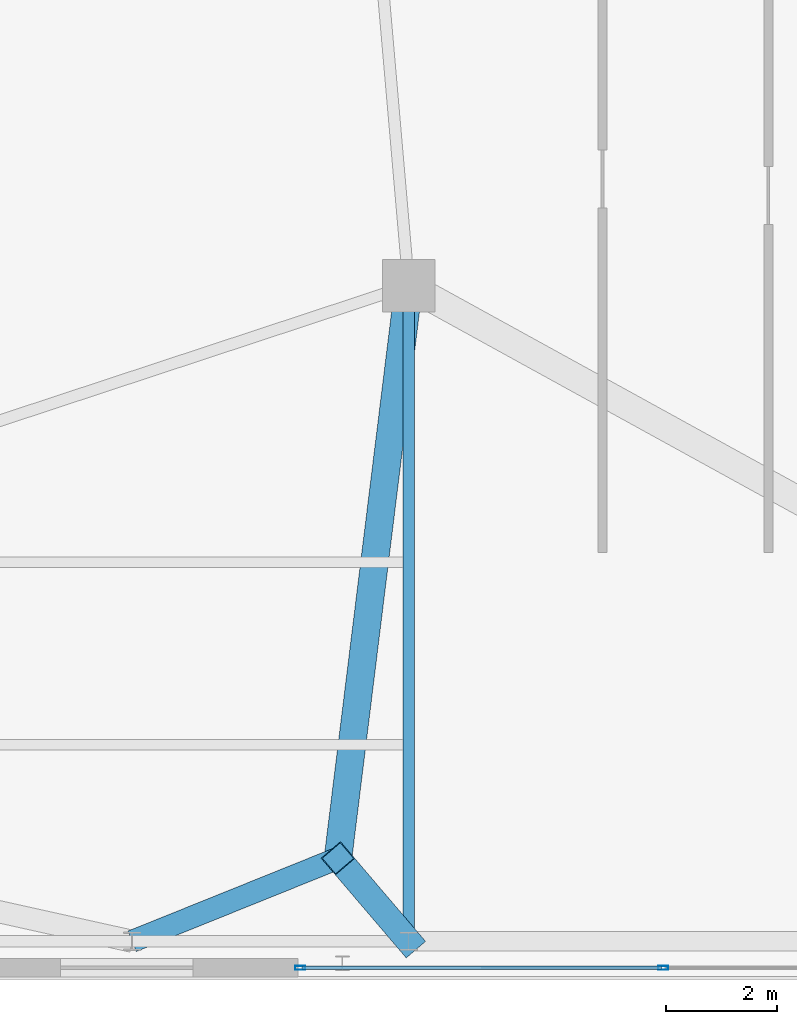
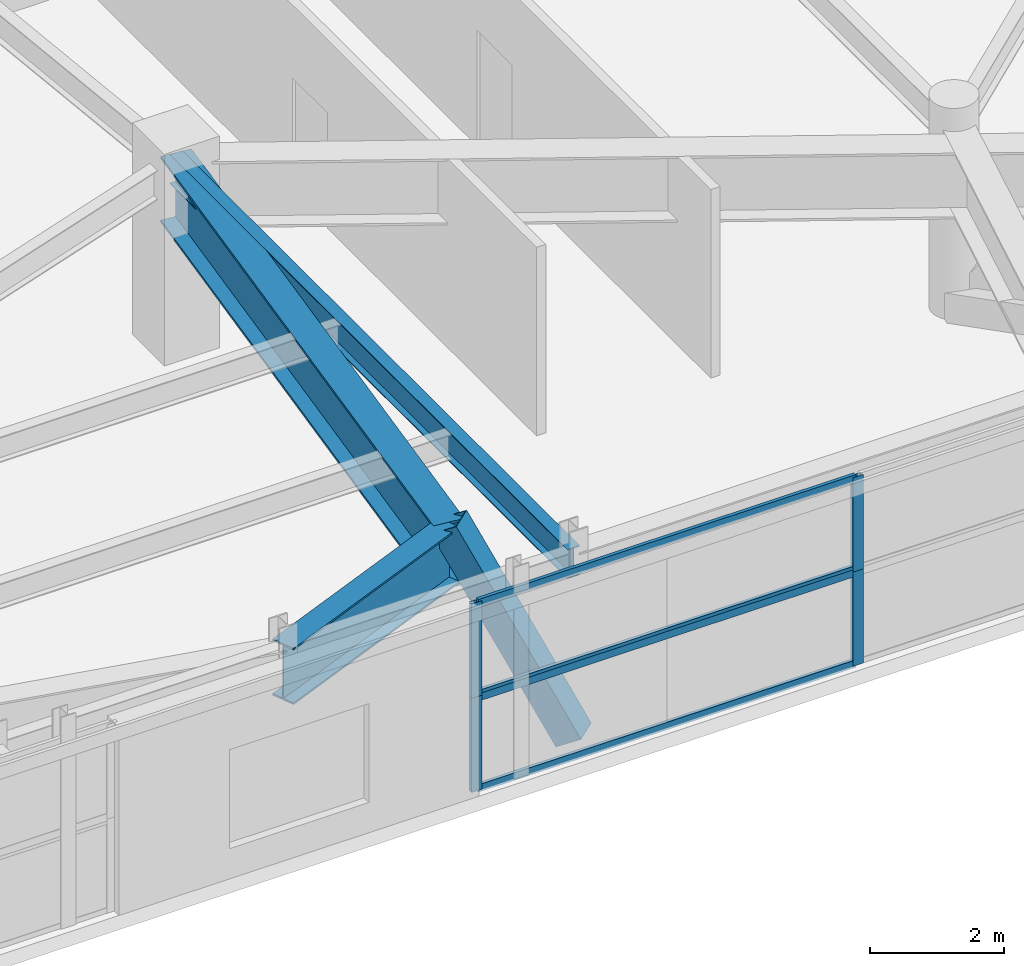
# One storey, part 15 of 27: 9 members, 3 beams, 2 elements without a shape of their own.
"""IFC4 building model written with IfcOpenShell, lengths in metres."""

from ifc_helpers import new_model, si_unit, direction, frame, origin, origin_2d, place, context, subcontext, project, spatial, hollow_rectangle, i_section, extrude, source, transform, mapped, material, layer, layer_set, material_profile, profile_set, type_object, element, aggregate, save


model = new_model("IFC4")

# Units and contexts
model_context = context("Model", 3, precision=1e-05, world=origin(), true_north=direction((0.0, 1.0)))
body_context = subcontext(model_context, "Body", "Model", "MODEL_VIEW")
ifc_project = project(units=[si_unit("LENGTHUNIT", "METRE"), si_unit("AREAUNIT", "SQUARE_METRE"), si_unit("VOLUMEUNIT", "CUBIC_METRE"), si_unit("PLANEANGLEUNIT", "RADIAN"), si_unit("MASSUNIT", "GRAM", prefix="KILO")], contexts=[model_context])

# Site, building, storey
site_placement = place(None, origin())
site = spatial("IfcSite", under=ifc_project, at=site_placement, CompositionType="ELEMENT")
building_placement = place(site_placement, origin())
building = spatial("IfcBuilding", under=site, at=building_placement, Name="Taldren Reach Tower", CompositionType="ELEMENT")
storey_placement = place(building_placement, frame((0.0, 0.0, 12.949951171875)))
storey = spatial("IfcBuildingStorey", under=building, at=storey_placement, Name="L03", CompositionType="ELEMENT", Elevation=12.949951171875)

# Beam
ifc_material_1 = material(Name="Steel Gr 350 (350PLUS)", Category="steel")
ifc_material_profile_1 = material_profile(ifc_material_1, i_section(OverallWidth=0.208984375, OverallDepth=0.532958984375, WebThickness=0.01025390625, FlangeThickness=0.015625, at=origin_2d()), Name="530UB92.4")
ifc_profile_set_1 = profile_set([ifc_material_profile_1], Name="Steel Gr 350 (350PLUS)")
beam_type_1 = type_object("IfcBeamType", Name="BM-UB530A", PredefinedType="BEAM", material=ifc_profile_set_1)
shared_shape_1 = source(origin(), body_context, "Body", "SweptSolid", [
    extrude(i_section(OverallWidth=0.208984375, OverallDepth=0.532958984375, WebThickness=0.01025390625, FlangeThickness=0.015625, at=origin_2d()), origin(), (0.0, 0.0, 1.0), 11.85009765625),
])
beam_1_placement = place(storey_placement, frame((52.0, 0.64990234375, 3.16357421875), z_axis=(0.0, 1.0, 0.0), x_axis=(-1.0, 0.0, 0.0)))
element("IfcBeam", 1, at=beam_1_placement, inside=storey, type_object=beam_type_1, Name="Podium beam L03-PD25", PredefinedType="BEAM", context=body_context, shape_type="MappedRepresentation", body=[
    mapped(shared_shape_1, transform((0.0, 0.0, 0.0), scale=1.0)),
])

# Member
ifc_material_2 = material(Name="Steel Gr 450 (C450L0)", Category="steel")
ifc_material_profile_2 = material_profile(ifc_material_2, hollow_rectangle(XDim=0.4599609375, YDim=0.4599609375, WallThickness=0.01611328125, at=origin_2d()), Name="460x460x16.0SHS")
ifc_profile_set_2 = profile_set([ifc_material_profile_2], Name="Steel Gr 450 (C450L0)")
member_type_1 = type_object("IfcMemberType", Name="MB-EXO457", PredefinedType="BRACE", material=ifc_profile_set_2)
shared_shape_2 = source(origin(), body_context, "Body", "SweptSolid", [
    extrude(hollow_rectangle(XDim=0.4599609375, YDim=0.4599609375, WallThickness=0.01611328125, at=origin_2d()), origin(), (0.0, 0.0, 1.0), 3.93896484375),
])
member_1_placement = place(storey_placement, frame((52.0, 0.64990234375, 0.02001953125), z_axis=(-0.324960344028, 0.380804187241, 0.865672539583), x_axis=(-0.760679309255, -0.649127867582, 0.0)))
element("IfcMember", 2, at=member_1_placement, inside=storey, type_object=member_type_1, Name="Portal and block transfer strut TS-B1-S5 L03", PredefinedType="BRACE", context=body_context, shape_type="MappedRepresentation", body=[
    mapped(shared_shape_2, transform((0.0, 0.0, 0.0), scale=1.0)),
])

# Beams
ifc_material_profile_3 = material_profile(ifc_material_1, i_section(OverallWidth=0.5, OverallDepth=1.199951171875, WebThickness=0.01611328125, FlangeThickness=0.0400390625, at=origin_2d()), Name="1200WB455")
ifc_profile_set_3 = profile_set([ifc_material_profile_3], Name="Steel Gr 350 (350PLUS)")
beam_type_2 = type_object("IfcBeamType", Name="BM-WB1200", PredefinedType="BEAM", material=ifc_profile_set_3)
shared_shape_3 = source(origin(), body_context, "Body", "SweptSolid", [
    extrude(i_section(OverallWidth=0.5, OverallDepth=1.199951171875, WebThickness=0.01611328125, FlangeThickness=0.0400390625, at=origin_2d()), origin(), (0.0, 0.0, 1.0), 10.428955078125),
])
beam_2_placement = place(storey_placement, frame((52.0, 12.5, 2.830078125), z_axis=(-0.122738080664, -0.992439098159, 0.0), x_axis=(0.992439098159, -0.122738080664, 0.0)))
element("IfcBeam", 3, at=beam_2_placement, inside=storey, type_object=beam_type_2, Name="Block transfer girder TG-B1-S5A on L03", PredefinedType="BEAM", context=body_context, shape_type="MappedRepresentation", body=[
    mapped(shared_shape_3, transform((0.0, 0.0, 0.0), scale=1.0)),
])
ifc_material_profile_4 = material_profile(ifc_material_1, i_section(OverallWidth=0.39990234375, OverallDepth=1.02392578125, WebThickness=0.01611328125, FlangeThickness=0.031982421875, at=origin_2d()), Name="1000WB322")
ifc_profile_set_4 = profile_set([ifc_material_profile_4], Name="Steel Gr 350 (350PLUS)")
beam_type_3 = type_object("IfcBeamType", Name="BM-WB1000", PredefinedType="BEAM", material=ifc_profile_set_4)
shared_shape_4 = source(origin(), body_context, "Body", "SweptSolid", [
    extrude(i_section(OverallWidth=0.39990234375, OverallDepth=1.02392578125, WebThickness=0.01611328125, FlangeThickness=0.031982421875, at=origin_2d()), origin(), (0.0, 0.0, 1.0), 4.010986328125),
])
beam_3_placement = place(storey_placement, frame((47.0, 0.64990234375, 2.91796875), z_axis=(0.927440450531, 0.37397086881, 0.0), x_axis=(-0.37397086881, 0.927440450531, 0.0)))
element("IfcBeam", 4, at=beam_3_placement, inside=storey, type_object=beam_type_3, Name="Block transfer tie girder TG-B1-S5B on L03", PredefinedType="BEAM", context=body_context, shape_type="MappedRepresentation", body=[
    mapped(shared_shape_4, transform((0.0, 0.0, 0.0), scale=1.0)),
])

# Curtain wall, members
ifc_material_3 = material(Name="Aluminium and Low-E Glass Unitised System", Category="aluminium")
ifc_layer = layer(ifc_material_3, 0.159912109375)
ifc_layer_set = layer_set([ifc_layer], Name="Aluminium and Low-E Glass Unitised System")
curtain_wall_type = type_object("IfcCurtainWallType", Name="CW-SYS-1", PredefinedType="NOTDEFINED", material=ifc_layer_set)
curtain_wall_1_placement = place(storey_placement, origin())
curtain_wall_1 = element("IfcCurtainWall", 5, at=curtain_wall_1_placement, inside=storey, type_object=curtain_wall_type, Name="Unitised curtain wall CW1-L03-S3", PredefinedType="NOTDEFINED")
ifc_material_4 = material(Name="Anodised Aluminium 6063-T6", Category="aluminium")
ifc_material_profile_5 = material_profile(ifc_material_4, hollow_rectangle(XDim=0.06005859375, YDim=0.135009765625, WallThickness=0.00341796875, at=origin_2d()), Name="ALU-135x60x3.5RHS")
ifc_profile_set_5 = profile_set([ifc_material_profile_5], Name="Anodised Aluminium 6063-T6")
member_type_2 = type_object("IfcMemberType", Name="CW-TRN-150", PredefinedType="USERDEFINED", material=ifc_profile_set_5)
shared_shape_5 = source(origin(), body_context, "Body", "SweptSolid", [
    extrude(hollow_rectangle(XDim=0.06005859375, YDim=0.135009765625, WallThickness=0.00341796875, at=origin_2d()), origin(), (0.0, 0.0, 1.0), 6.494873046875),
])
member_2_placement = place(storey_placement, frame((50.070068359375, 0.169921875, 0.030029296875), z_axis=(1.0, 0.0, 0.0), x_axis=(0.0, 1.0, 0.0)))
member_2 = element("IfcMember", 6, at=member_2_placement, type_object=member_type_2, Name="CW-1 transom 1.1", ObjectType="TRANSOM", PredefinedType="USERDEFINED", context=body_context, shape_type="MappedRepresentation", body=[
    mapped(shared_shape_5, transform((0.0, 0.0, 0.0), scale=1.0)),
])
member_3_placement = place(storey_placement, frame((50.070068359375, 0.169921875, 1.68505859375), z_axis=(1.0, 0.0, 0.0), x_axis=(0.0, 1.0, 0.0)))
member_3 = element("IfcMember", 7, at=member_3_placement, type_object=member_type_2, Name="CW-1 transom 1.2", ObjectType="TRANSOM", PredefinedType="USERDEFINED", context=body_context, shape_type="MappedRepresentation", body=[
    mapped(shared_shape_5, transform((0.0, 0.0, 0.0), scale=1.0)),
])

curtain_wall_2_placement = place(storey_placement, origin())
curtain_wall_2 = element("IfcCurtainWall", 8, at=curtain_wall_2_placement, inside=storey, type_object=curtain_wall_type, Name="Unitised curtain wall CW1-L03-S3-T2", PredefinedType="NOTDEFINED")
member_4_placement = place(storey_placement, frame((50.070068359375, 0.169921875, 1.7451171875), z_axis=(1.0, 0.0, 0.0), x_axis=(0.0, 1.0, 0.0)))
member_4 = element("IfcMember", 9, at=member_4_placement, type_object=member_type_2, Name="CW-1 transom 1.1", ObjectType="TRANSOM", PredefinedType="USERDEFINED", context=body_context, shape_type="MappedRepresentation", body=[
    mapped(shared_shape_5, transform((0.0, 0.0, 0.0), scale=1.0)),
])
member_5_placement = place(storey_placement, frame((50.070068359375, 0.169921875, 3.400146484375), z_axis=(1.0, 0.0, 0.0), x_axis=(0.0, 1.0, 0.0)))
member_5 = element("IfcMember", 10, at=member_5_placement, type_object=member_type_2, Name="CW-1 transom 1.2", ObjectType="TRANSOM", PredefinedType="USERDEFINED", context=body_context, shape_type="MappedRepresentation", body=[
    mapped(shared_shape_5, transform((0.0, 0.0, 0.0), scale=1.0)),
])

# Member
ifc_material_profile_6 = material_profile(ifc_material_4, hollow_rectangle(XDim=0.070068359375, YDim=0.179931640625, WallThickness=0.00390625, at=origin_2d()), Name="ALU-180x70x4RHS")
ifc_profile_set_6 = profile_set([ifc_material_profile_6], Name="Anodised Aluminium 6063-T6")
member_type_3 = type_object("IfcMemberType", Name="CW-MUL-180", PredefinedType="MULLION", material=ifc_profile_set_6)
shared_shape_6 = source(origin(), body_context, "Body", "SweptSolid", [
    extrude(hollow_rectangle(XDim=0.070068359375, YDim=0.179931640625, WallThickness=0.00390625, at=origin_2d()), origin(), (0.0, 0.0, 1.0), 1.715087890625),
])
member_6_placement = place(storey_placement, frame((50.034912109375, 0.169921875, 0.0), z_axis=(0.0, 0.0, 1.0), x_axis=(0.0, 1.0, 0.0)))
member_6 = element("IfcMember", 11, at=member_6_placement, type_object=member_type_3, Name="CW-1 mullion 1", PredefinedType="MULLION", context=body_context, shape_type="MappedRepresentation", body=[
    mapped(shared_shape_6, transform((0.0, 0.0, 0.0), scale=1.0)),
])

member_7_placement = place(storey_placement, frame((56.60009765625, 0.169921875, 0.0), z_axis=(0.0, 0.0, 1.0), x_axis=(0.0, 1.0, 0.0)))
member_7 = element("IfcMember", 12, at=member_7_placement, type_object=member_type_3, Name="CW-1 mullion 2", PredefinedType="MULLION", context=body_context, shape_type="MappedRepresentation", body=[
    mapped(shared_shape_6, transform((0.0, 0.0, 0.0), scale=1.0)),
])

aggregate(curtain_wall_1, [member_6, member_7, member_2, member_3])

shared_shape_7 = source(origin(), body_context, "Body", "SweptSolid", [
    extrude(hollow_rectangle(XDim=0.070068359375, YDim=0.179931640625, WallThickness=0.00390625, at=origin_2d()), origin(), (0.0, 0.0, 1.0), 1.71484375),
])
member_8_placement = place(storey_placement, frame((50.034912109375, 0.169921875, 1.715087890625), z_axis=(0.0, 0.0, 1.0), x_axis=(0.0, 1.0, 0.0)))
member_8 = element("IfcMember", 13, at=member_8_placement, type_object=member_type_3, Name="CW-1 mullion 1", PredefinedType="MULLION", context=body_context, shape_type="MappedRepresentation", body=[
    mapped(shared_shape_7, transform((0.0, 0.0, 0.0), scale=1.0)),
])

member_9_placement = place(storey_placement, frame((56.60009765625, 0.169921875, 1.715087890625), z_axis=(0.0, 0.0, 1.0), x_axis=(0.0, 1.0, 0.0)))
member_9 = element("IfcMember", 14, at=member_9_placement, type_object=member_type_3, Name="CW-1 mullion 2", PredefinedType="MULLION", context=body_context, shape_type="MappedRepresentation", body=[
    mapped(shared_shape_7, transform((0.0, 0.0, 0.0), scale=1.0)),
])

aggregate(curtain_wall_2, [member_8, member_9, member_4, member_5])

save(model, "model.ifc")
